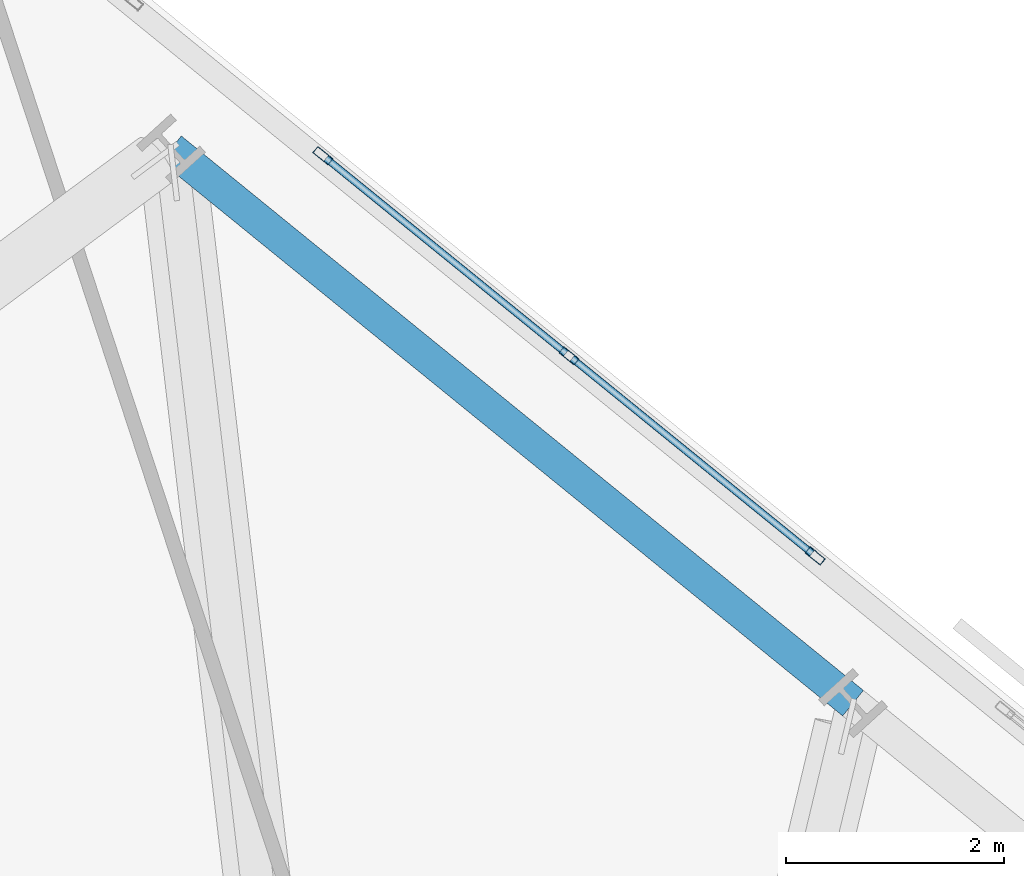
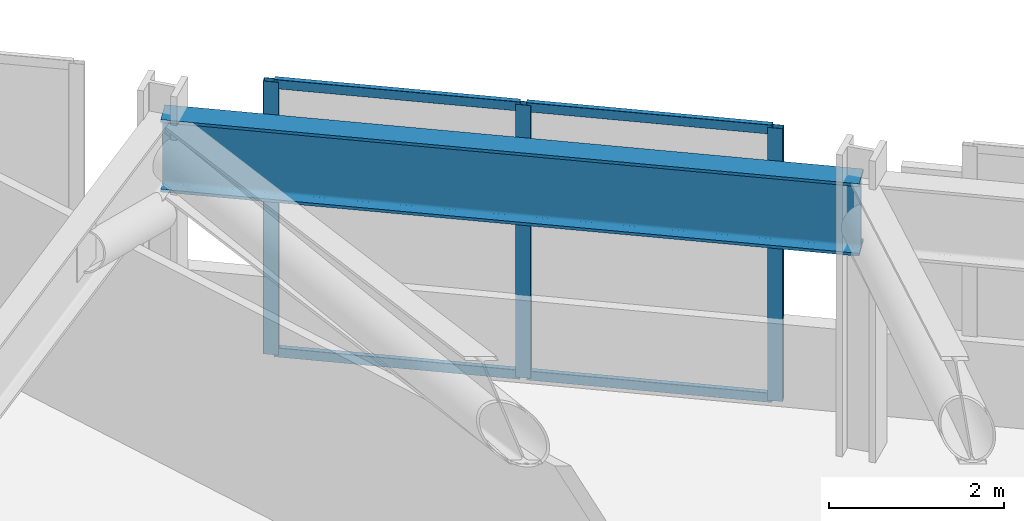
# One storey, part 8 of 18: 7 members, 1 beam, 1 element without a shape of its own.
"""IFC4 building model written with IfcOpenShell, lengths in metres."""

from ifc_helpers import new_model, si_unit, direction, frame, origin, origin_2d, place, context, subcontext, project, spatial, hollow_rectangle, i_section, extrude, material, material_profile, profile_set, type_object, element, aggregate, save


model = new_model("IFC4")

# Units and contexts
model_context = context("Model", 3, precision=1e-05, world=origin(), true_north=direction((0.0, 1.0)))
body_context = subcontext(model_context, "Body", "Model", "MODEL_VIEW")
ifc_project = project(units=[si_unit("LENGTHUNIT", "METRE"), si_unit("AREAUNIT", "SQUARE_METRE"), si_unit("VOLUMEUNIT", "CUBIC_METRE"), si_unit("PLANEANGLEUNIT", "RADIAN"), si_unit("MASSUNIT", "GRAM", prefix="KILO")], contexts=[model_context])

# Site, building, storey
site_placement = place(None, origin())
site = spatial("IfcSite", under=ifc_project, at=site_placement, CompositionType="ELEMENT")
building_placement = place(site_placement, origin())
building = spatial("IfcBuilding", under=site, at=building_placement, Name="Narakoshi Arena Tower", CompositionType="ELEMENT")
storey_placement = place(building_placement, frame((0.0, 0.0, 59.10009765625)))
storey = spatial("IfcBuildingStorey", under=building, at=storey_placement, Name="L15", CompositionType="ELEMENT", Elevation=59.10009765625)

# Beam
ifc_material_1 = material(Name="Structural steel S460ML", Category="steel")
ifc_material_profile_1 = material_profile(ifc_material_1, i_section(OverallWidth=0.302001953125, OverallDepth=1.008056640625, WebThickness=0.02099609375, FlangeThickness=0.0400390625, FilletRadius=0.030029296875, at=origin_2d()), Name="HE1000M")
ifc_profile_set_1 = profile_set([ifc_material_profile_1], Name="Structural steel S460ML")
beam_type = type_object("IfcBeamType", Name="BM-XFER-1000", PredefinedType="BEAM", material=ifc_profile_set_1)
beam_placement = place(storey_placement, frame((75.794189453125, 72.392333984375, 3.2958984375), z_axis=(-0.775993703931, 0.63074065309, 0.0), x_axis=(-0.63074065309, -0.775993703931, 0.0)))
element("IfcBeam", 1, at=beam_placement, inside=storey, type_object=beam_type, Name="L15 Perimeter Transfer Ring Girder 11", PredefinedType="BEAM", context=body_context, shape_type="SweptSolid", body=[
    extrude(i_section(OverallWidth=0.302001953125, OverallDepth=1.008056640625, WebThickness=0.02099609375, FlangeThickness=0.0400390625, FilletRadius=0.030029296875, at=origin_2d()), origin(), (0.0, 0.0, 1.0), 8.0712890625),
])

# Curtain wall, members
ifc_material_2 = material(Name="Anodised bronze aluminium 6063-T6", Category="aluminium")
curtain_wall_type = type_object("IfcCurtainWallType", Name="CW-HYP-LOW", PredefinedType="NOTDEFINED", material=ifc_material_2)
curtain_wall_placement = place(storey_placement, origin())
curtain_wall = element("IfcCurtainWall", 2, at=curtain_wall_placement, inside=storey, type_object=curtain_wall_type, Name="L15 Folded Hypotenuse Curtain Wall 2-3", PredefinedType="NOTDEFINED")
ifc_material_profile_2 = material_profile(ifc_material_2, hollow_rectangle(XDim=0.074951171875, YDim=0.179931640625, WallThickness=0.00390625, OuterFilletRadius=0.0048828125, at=origin_2d()), Name="MUL180x75x4")
ifc_profile_set_2 = profile_set([ifc_material_profile_2], Name="Anodised bronze aluminium 6063-T6")
member_type_1 = type_object("IfcMemberType", Name="MEM-MUL-180", PredefinedType="MULLION", material=ifc_profile_set_2)
member_1_placement = place(storey_placement, frame((75.4462890625, 73.744873046875, 0.0), z_axis=(0.0, 0.0, 1.0), x_axis=(-0.630732352677, -0.776000450571, 0.0)))
member_1 = element("IfcMember", 3, at=member_1_placement, type_object=member_type_1, Name="CW-01 mullion 1", PredefinedType="MULLION", context=body_context, shape_type="SweptSolid", body=[
    extrude(hollow_rectangle(XDim=0.074951171875, YDim=0.179931640625, WallThickness=0.00390625, OuterFilletRadius=0.0048828125, at=origin_2d()), origin(), (0.0, 0.0, 1.0), 3.7998046875),
])
member_2_placement = place(storey_placement, frame((73.186279296875, 75.581787109375, 0.0), z_axis=(0.0, 0.0, 1.0), x_axis=(-0.630732352677, -0.776000450571, 0.0)))
member_2 = element("IfcMember", 4, at=member_2_placement, type_object=member_type_1, Name="CW-01 mullion 2", PredefinedType="MULLION", context=body_context, shape_type="SweptSolid", body=[
    extrude(hollow_rectangle(XDim=0.074951171875, YDim=0.179931640625, WallThickness=0.00390625, OuterFilletRadius=0.0048828125, at=origin_2d()), origin(), (0.0, 0.0, 1.0), 3.7998046875),
])
member_3_placement = place(storey_placement, frame((70.926025390625, 77.4189453125, 0.0), z_axis=(0.0, 0.0, 1.0), x_axis=(-0.630732352677, -0.776000450571, 0.0)))
member_3 = element("IfcMember", 5, at=member_3_placement, type_object=member_type_1, Name="CW-01 mullion 3", PredefinedType="MULLION", context=body_context, shape_type="SweptSolid", body=[
    extrude(hollow_rectangle(XDim=0.074951171875, YDim=0.179931640625, WallThickness=0.00390625, OuterFilletRadius=0.0048828125, at=origin_2d()), origin(), (0.0, 0.0, 1.0), 3.7998046875),
])
ifc_material_profile_3 = material_profile(ifc_material_2, hollow_rectangle(XDim=0.06494140625, YDim=0.1298828125, WallThickness=0.00390625, OuterFilletRadius=0.0048828125, at=origin_2d()), Name="TRN130x65x4")
ifc_profile_set_3 = profile_set([ifc_material_profile_3], Name="Anodised bronze aluminium 6063-T6")
member_type_2 = type_object("IfcMemberType", Name="MEM-TRN-130", PredefinedType="USERDEFINED", material=ifc_profile_set_3)
member_4_placement = place(storey_placement, frame((75.417236328125, 73.768310546875, 0.032470703125), z_axis=(-0.775985026728, 0.630751328412, 0.0), x_axis=(-0.630751328412, -0.775985026728, 0.0)))
member_4 = element("IfcMember", 6, at=member_4_placement, type_object=member_type_2, Name="CW-01 transom 1.1", ObjectType="TRANSOM", PredefinedType="USERDEFINED", context=body_context, shape_type="SweptSolid", body=[
    extrude(hollow_rectangle(XDim=0.06494140625, YDim=0.1298828125, WallThickness=0.00390625, OuterFilletRadius=0.0048828125, at=origin_2d()), origin(), (0.0, 0.0, 1.0), 2.837646484375),
])
member_5_placement = place(storey_placement, frame((75.417236328125, 73.768310546875, 3.767333984375), z_axis=(-0.775985026728, 0.630751328412, 0.0), x_axis=(-0.630751328412, -0.775985026728, 0.0)))
member_5 = element("IfcMember", 7, at=member_5_placement, type_object=member_type_2, Name="CW-01 transom 1.2", ObjectType="TRANSOM", PredefinedType="USERDEFINED", context=body_context, shape_type="SweptSolid", body=[
    extrude(hollow_rectangle(XDim=0.06494140625, YDim=0.1298828125, WallThickness=0.00390625, OuterFilletRadius=0.0048828125, at=origin_2d()), origin(), (0.0, 0.0, 1.0), 2.837646484375),
])
member_6_placement = place(storey_placement, frame((73.1572265625, 75.60546875, 0.032470703125), z_axis=(-0.776019253648, 0.630709218236, 0.0), x_axis=(-0.630709218236, -0.776019253648, 0.0)))
member_6 = element("IfcMember", 8, at=member_6_placement, type_object=member_type_2, Name="CW-01 transom 2.1", ObjectType="TRANSOM", PredefinedType="USERDEFINED", context=body_context, shape_type="SweptSolid", body=[
    extrude(hollow_rectangle(XDim=0.06494140625, YDim=0.1298828125, WallThickness=0.00390625, OuterFilletRadius=0.0048828125, at=origin_2d()), origin(), (0.0, 0.0, 1.0), 2.837646484375),
])
member_7_placement = place(storey_placement, frame((73.1572265625, 75.60546875, 3.767333984375), z_axis=(-0.776019253648, 0.630709218236, 0.0), x_axis=(-0.630709218236, -0.776019253648, 0.0)))
member_7 = element("IfcMember", 9, at=member_7_placement, type_object=member_type_2, Name="CW-01 transom 2.2", ObjectType="TRANSOM", PredefinedType="USERDEFINED", context=body_context, shape_type="SweptSolid", body=[
    extrude(hollow_rectangle(XDim=0.06494140625, YDim=0.1298828125, WallThickness=0.00390625, OuterFilletRadius=0.0048828125, at=origin_2d()), origin(), (0.0, 0.0, 1.0), 2.837646484375),
])
aggregate(curtain_wall, [member_1, member_2, member_3, member_4, member_5, member_6, member_7])

save(model, "model.ifc")
